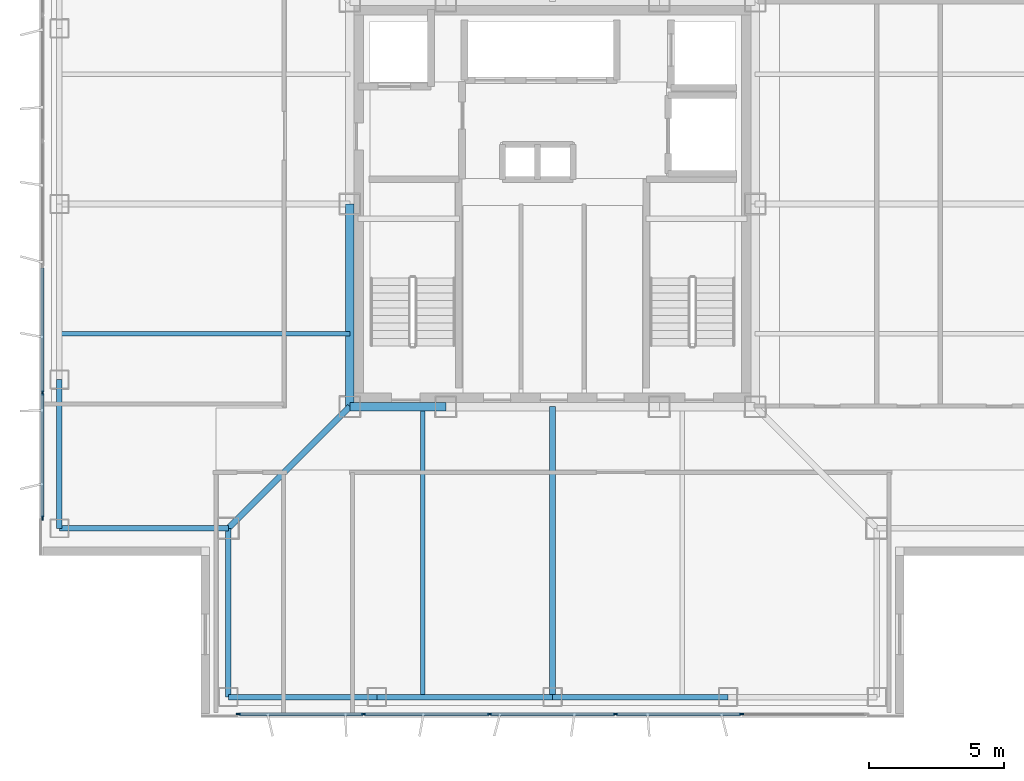
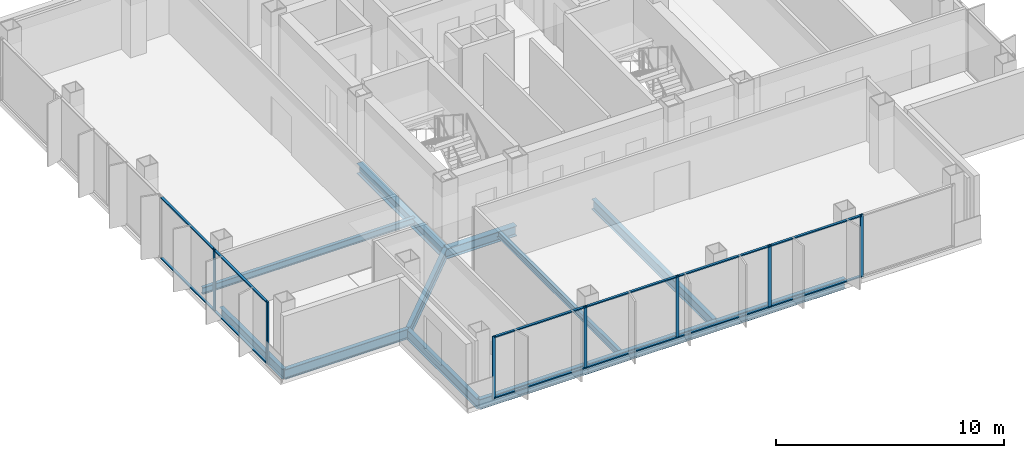
# One storey, part 2 of 15: 19 members, 12 beams, 2 elements without a shape of their own.
"""IFC4 building model written with IfcOpenShell, lengths in metres."""

from ifc_helpers import new_model, si_unit, direction, frame, origin, origin_2d, place, context, subcontext, project, spatial, rectangle, i_section, extrude, material, layer, layer_set, material_profile, profile_set, type_object, element, aggregate, save


model = new_model("IFC4")

# Units and contexts
model_context = context("Model", 3, precision=1e-05, world=origin(), true_north=direction((0.0, 1.0)))
body_context = subcontext(model_context, "Body", "Model", "MODEL_VIEW")
ifc_project = project(units=[si_unit("LENGTHUNIT", "METRE"), si_unit("AREAUNIT", "SQUARE_METRE"), si_unit("VOLUMEUNIT", "CUBIC_METRE"), si_unit("PLANEANGLEUNIT", "RADIAN"), si_unit("MASSUNIT", "GRAM", prefix="KILO")], contexts=[model_context])

# Site, building, storey
site_placement = place(None, origin())
site = spatial("IfcSite", under=ifc_project, at=site_placement, CompositionType="ELEMENT")
building_placement = place(site_placement, origin())
building = spatial("IfcBuilding", under=site, at=building_placement, Name="Trevonay Congress Spire", CompositionType="ELEMENT")
storey_placement = place(building_placement, frame((0.0, 0.0, 250.39990234375)))
storey = spatial("IfcBuildingStorey", under=building, at=storey_placement, Name="L65", CompositionType="ELEMENT", Elevation=250.39990234375)

# Beams
ifc_material_1 = material(Name="Steel ASTM A572 Grade 50", Category="steel")
ifc_material_profile_1 = material_profile(ifc_material_1, i_section(OverallWidth=0.2119140625, OverallDepth=0.5439453125, WebThickness=0.01318359375, FlangeThickness=0.021240234375, FilletRadius=0.014892578125, at=origin_2d()), Name="W530x123")
ifc_profile_set_1 = profile_set([ifc_material_profile_1], Name="Steel ASTM A572 Grade 50")
beam_type_1 = type_object("IfcBeamType", Name="BM-GIRD-W530X123", PredefinedType="BEAM", material=ifc_profile_set_1)
beam_1_placement = place(storey_placement, frame((-7.5, -7.5, -0.511962890625), z_axis=(-0.707106781187, -0.707106781187, 0.0), x_axis=(0.707106781187, -0.707106781187, 0.0)))
element("IfcBeam", 1, at=beam_1_placement, inside=storey, type_object=beam_type_1, Name="L65 structural beam BM-L65-CDSW", PredefinedType="BEAM", context=body_context, shape_type="SweptSolid", body=[
    extrude(i_section(OverallWidth=0.2119140625, OverallDepth=0.5439453125, WebThickness=0.01318359375, FlangeThickness=0.021240234375, FilletRadius=0.014892578125, at=origin_2d()), origin(), (0.0, 0.0, 1.0), 6.364013671875),
])
beam_2_placement = place(storey_placement, frame((0.0, -7.5, -0.511962890625), z_axis=(0.0, -1.0, 0.0), x_axis=(1.0, 0.0, 0.0)))
element("IfcBeam", 2, at=beam_2_placement, inside=storey, type_object=beam_type_1, Name="L65 structural beam BM-L65-GC-S", PredefinedType="BEAM", context=body_context, shape_type="SweptSolid", body=[
    extrude(i_section(OverallWidth=0.2119140625, OverallDepth=0.5439453125, WebThickness=0.01318359375, FlangeThickness=0.021240234375, FilletRadius=0.014892578125, at=origin_2d()), origin(), (0.0, 0.0, 1.0), 10.75),
])
ifc_material_profile_2 = material_profile(ifc_material_1, i_section(OverallWidth=0.31201171875, OverallDepth=0.54296875, WebThickness=0.0126953125, FlangeThickness=0.020263671875, FilletRadius=0.014892578125, at=origin_2d()), Name="W530x150")
ifc_profile_set_2 = profile_set([ifc_material_profile_2], Name="Steel ASTM A572 Grade 50")
beam_type_2 = type_object("IfcBeamType", Name="BM-GIRD-W530X150", PredefinedType="BEAM", material=ifc_profile_set_2)
beam_3_placement = place(storey_placement, frame((-7.5, -7.5, -0.511474609375), z_axis=(1.0, 0.0, 0.0), x_axis=(0.0, 1.0, 0.0)))
element("IfcBeam", 3, at=beam_3_placement, inside=storey, type_object=beam_type_2, Name="L65 structural beam BM-L65-CR-S1", PredefinedType="BEAM", context=body_context, shape_type="SweptSolid", body=[
    extrude(i_section(OverallWidth=0.31201171875, OverallDepth=0.54296875, WebThickness=0.0126953125, FlangeThickness=0.020263671875, FilletRadius=0.014892578125, at=origin_2d()), origin(), (0.0, 0.0, 1.0), 3.550048828125),
])
beam_4_placement = place(storey_placement, frame((-7.5, -7.5, -0.511474609375), z_axis=(0.0, 1.0, 0.0), x_axis=(-1.0, 0.0, 0.0)))
element("IfcBeam", 4, at=beam_4_placement, inside=storey, type_object=beam_type_2, Name="L65 structural beam BM-L65-CR-W1", PredefinedType="BEAM", context=body_context, shape_type="SweptSolid", body=[
    extrude(i_section(OverallWidth=0.31201171875, OverallDepth=0.54296875, WebThickness=0.0126953125, FlangeThickness=0.020263671875, FilletRadius=0.014892578125, at=origin_2d()), origin(), (0.0, 0.0, 1.0), 7.5),
])
ifc_material_profile_3 = material_profile(ifc_material_1, i_section(OverallWidth=0.208984375, OverallDepth=0.532958984375, WebThickness=0.01025390625, FlangeThickness=0.015625, FilletRadius=0.014892578125, at=origin_2d()), Name="W530x92")
ifc_profile_set_3 = profile_set([ifc_material_profile_3], Name="Steel ASTM A572 Grade 50")
beam_type_3 = type_object("IfcBeamType", Name="BM-RING-W530X92", PredefinedType="BEAM", material=ifc_profile_set_3)
for number, where, z_axis, x_axis, name in (
    (5, (-12.0, -18.25, -0.50634765625), (1.0, 0.0, 0.0), (0.0, 1.0, 0.0), "L65 structural beam BM-L65-PS1"),
    (6, (-18.25, -12.0, -0.50634765625), (0.0, 1.0, 0.0), (-1.0, 0.0, 0.0), "L65 structural beam BM-L65-PW1"),
):
    element("IfcBeam", number, at=place(storey_placement, frame(where, z_axis=z_axis, x_axis=x_axis)), inside=storey, type_object=beam_type_3, Name=name, PredefinedType="BEAM", context=body_context, shape_type="SweptSolid", body=[
        extrude(i_section(OverallWidth=0.208984375, OverallDepth=0.532958984375, WebThickness=0.01025390625, FlangeThickness=0.015625, FilletRadius=0.014892578125, at=origin_2d()), origin(), (0.0, 0.0, 1.0), 5.5),
    ])
for number, where, z_axis, x_axis, name in (
    (7, (-6.5, -18.25, -0.50634765625), (1.0, 0.0, 0.0), (0.0, 1.0, 0.0), "L65 structural beam BM-L65-PS2"),
    (8, (0.0, -18.25, -0.50634765625), (1.0, 0.0, 0.0), (0.0, 1.0, 0.0), "L65 structural beam BM-L65-PS3"),
):
    element("IfcBeam", number, at=place(storey_placement, frame(where, z_axis=z_axis, x_axis=x_axis)), inside=storey, type_object=beam_type_3, Name=name, PredefinedType="BEAM", context=body_context, shape_type="SweptSolid", body=[
        extrude(i_section(OverallWidth=0.208984375, OverallDepth=0.532958984375, WebThickness=0.01025390625, FlangeThickness=0.015625, FilletRadius=0.014892578125, at=origin_2d()), origin(), (0.0, 0.0, 1.0), 6.5),
    ])
for number, where, z_axis, x_axis, name in (
    (9, (-12.0, -18.25, -0.50634765625), (0.0, 1.0, 0.0), (-1.0, 0.0, 0.0), "L65 structural beam BM-L65-N1SW"),
    (10, (-18.25, -12.0, -0.50634765625), (1.0, 0.0, 0.0), (0.0, 1.0, 0.0), "L65 structural beam BM-L65-N2SW"),
):
    element("IfcBeam", number, at=place(storey_placement, frame(where, z_axis=z_axis, x_axis=x_axis)), inside=storey, type_object=beam_type_3, Name=name, PredefinedType="BEAM", context=body_context, shape_type="SweptSolid", body=[
        extrude(i_section(OverallWidth=0.208984375, OverallDepth=0.532958984375, WebThickness=0.01025390625, FlangeThickness=0.015625, FilletRadius=0.014892578125, at=origin_2d()), origin(), (0.0, 0.0, 1.0), 6.25),
    ])

# Curtain wall, members
ifc_material_2 = material(Name="Pale Anodised Aluminium EN AW-6063-T6", Category="aluminium")
ifc_layer = layer(ifc_material_2, 0.1650390625, Name="Pale Anodised Aluminium EN AW-6063-T6")
ifc_layer_set = layer_set([ifc_layer], Name="Pale Anodised Aluminium EN AW-6063-T6")
curtain_wall_type = type_object("IfcCurtainWallType", Name="CW-SYS05-DIPLOM-PALE-METAL", PredefinedType="NOTDEFINED", material=ifc_layer_set)
curtain_wall_1_placement = place(storey_placement, origin())
curtain_wall_1 = element("IfcCurtainWall", 11, at=curtain_wall_1_placement, inside=storey, type_object=curtain_wall_type, Name="L65 S unitised curtain wall", PredefinedType="NOTDEFINED")
ifc_material_profile_4 = material_profile(ifc_material_2, rectangle(XDim=0.06005859375, YDim=0.159912109375, at=origin_2d()), Name="CW-MULLION-160-ALUMINIUM")
ifc_profile_set_4 = profile_set([ifc_material_profile_4], Name="Pale Anodised Aluminium EN AW-6063-T6")
member_type_1 = type_object("IfcMemberType", Name="CW-MULLION-160-ALUMINIUM", PredefinedType="MULLION", material=ifc_profile_set_4)
member_1_placement = place(storey_placement, frame((-11.6201171875, -18.8798828125, 0.0), z_axis=(0.0, 0.0, 1.0), x_axis=(0.0, 1.0, 0.0)))
member_1 = element("IfcMember", 12, at=member_1_placement, type_object=member_type_1, Name="CW05 mullion 1", PredefinedType="MULLION", context=body_context, shape_type="SweptSolid", body=[
    extrude(rectangle(XDim=0.06005859375, YDim=0.159912109375, at=origin_2d()), origin(), (0.0, 0.0, 1.0), 3.360107421875),
])
member_2_placement = place(storey_placement, frame((-6.989990234375, -18.8798828125, 0.0), z_axis=(0.0, 0.0, 1.0), x_axis=(0.0, 1.0, 0.0)))
member_2 = element("IfcMember", 13, at=member_2_placement, type_object=member_type_1, Name="CW05 mullion 2", PredefinedType="MULLION", context=body_context, shape_type="SweptSolid", body=[
    extrude(rectangle(XDim=0.06005859375, YDim=0.159912109375, at=origin_2d()), origin(), (0.0, 0.0, 1.0), 3.360107421875),
])
member_3_placement = place(storey_placement, frame((-2.330078125, -18.8798828125, 0.0), z_axis=(0.0, 0.0, 1.0), x_axis=(0.0, 1.0, 0.0)))
member_3 = element("IfcMember", 14, at=member_3_placement, type_object=member_type_1, Name="CW05 mullion 3", PredefinedType="MULLION", context=body_context, shape_type="SweptSolid", body=[
    extrude(rectangle(XDim=0.06005859375, YDim=0.159912109375, at=origin_2d()), origin(), (0.0, 0.0, 1.0), 3.360107421875),
])
member_4_placement = place(storey_placement, frame((2.330078125, -18.8798828125, 0.0), z_axis=(0.0, 0.0, 1.0), x_axis=(0.0, 1.0, 0.0)))
member_4 = element("IfcMember", 15, at=member_4_placement, type_object=member_type_1, Name="CW05 mullion 4", PredefinedType="MULLION", context=body_context, shape_type="SweptSolid", body=[
    extrude(rectangle(XDim=0.06005859375, YDim=0.159912109375, at=origin_2d()), origin(), (0.0, 0.0, 1.0), 3.360107421875),
])
member_5_placement = place(storey_placement, frame((6.989990234375, -18.8798828125, 0.0), z_axis=(0.0, 0.0, 1.0), x_axis=(0.0, 1.0, 0.0)))
member_5 = element("IfcMember", 16, at=member_5_placement, type_object=member_type_1, Name="CW05 mullion 5", PredefinedType="MULLION", context=body_context, shape_type="SweptSolid", body=[
    extrude(rectangle(XDim=0.06005859375, YDim=0.159912109375, at=origin_2d()), origin(), (0.0, 0.0, 1.0), 3.360107421875),
])

curtain_wall_2_placement = place(storey_placement, origin())
curtain_wall_2 = element("IfcCurtainWall", 17, at=curtain_wall_2_placement, inside=storey, type_object=curtain_wall_type, Name="L65 W unitised curtain wall", PredefinedType="NOTDEFINED")
member_6_placement = place(storey_placement, frame((-18.8798828125, -11.6201171875, 0.0), z_axis=(0.0, 0.0, 1.0), x_axis=(-1.0, 0.0, 0.0)))
member_6 = element("IfcMember", 18, at=member_6_placement, type_object=member_type_1, Name="CW05 mullion 1", PredefinedType="MULLION", context=body_context, shape_type="SweptSolid", body=[
    extrude(rectangle(XDim=0.06005859375, YDim=0.159912109375, at=origin_2d()), origin(), (0.0, 0.0, 1.0), 3.360107421875),
])
member_7_placement = place(storey_placement, frame((-18.8798828125, -6.989990234375, 0.0), z_axis=(0.0, 0.0, 1.0), x_axis=(-1.0, 0.0, 0.0)))
member_7 = element("IfcMember", 19, at=member_7_placement, type_object=member_type_1, Name="CW05 mullion 2", PredefinedType="MULLION", context=body_context, shape_type="SweptSolid", body=[
    extrude(rectangle(XDim=0.06005859375, YDim=0.159912109375, at=origin_2d()), origin(), (0.0, 0.0, 1.0), 3.360107421875),
])

# Member
ifc_material_profile_5 = material_profile(ifc_material_2, rectangle(XDim=0.1201171875, YDim=0.06005859375, at=origin_2d()), Name="CW-TRANSOM-120-ALUMINIUM")
ifc_profile_set_5 = profile_set([ifc_material_profile_5], Name="Pale Anodised Aluminium EN AW-6063-T6")
member_type_2 = type_object("IfcMemberType", Name="CW-TRANSOM-120-ALUMINIUM", PredefinedType="USERDEFINED", material=ifc_profile_set_5)
member_8_placement = place(storey_placement, frame((-11.590087890625, -18.8798828125, 0.06005859375), z_axis=(1.0, 0.0, 0.0), x_axis=(0.0, 1.0, 0.0)))
member_8 = element("IfcMember", 20, at=member_8_placement, type_object=member_type_2, Name="CW05 transom 1.1", ObjectType="TRANSOM", PredefinedType="USERDEFINED", context=body_context, shape_type="SweptSolid", body=[
    extrude(rectangle(XDim=0.1201171875, YDim=0.06005859375, at=origin_2d()), origin(), (0.0, 0.0, 1.0), 4.570068359375),
])

member_9_placement = place(storey_placement, frame((-11.590087890625, -18.8798828125, 3.300048828125), z_axis=(1.0, 0.0, 0.0), x_axis=(0.0, 1.0, 0.0)))
member_9 = element("IfcMember", 21, at=member_9_placement, type_object=member_type_2, Name="CW05 transom 1.2", ObjectType="TRANSOM", PredefinedType="USERDEFINED", context=body_context, shape_type="SweptSolid", body=[
    extrude(rectangle(XDim=0.1201171875, YDim=0.06005859375, at=origin_2d()), origin(), (0.0, 0.0, 1.0), 4.570068359375),
])

member_10_placement = place(storey_placement, frame((-6.9599609375, -18.8798828125, 0.06005859375), z_axis=(1.0, 0.0, 0.0), x_axis=(0.0, 1.0, 0.0)))
member_10 = element("IfcMember", 22, at=member_10_placement, type_object=member_type_2, Name="CW05 transom 2.1", ObjectType="TRANSOM", PredefinedType="USERDEFINED", context=body_context, shape_type="SweptSolid", body=[
    extrude(rectangle(XDim=0.1201171875, YDim=0.06005859375, at=origin_2d()), origin(), (0.0, 0.0, 1.0), 4.599853515625),
])

member_11_placement = place(storey_placement, frame((-6.9599609375, -18.8798828125, 3.300048828125), z_axis=(1.0, 0.0, 0.0), x_axis=(0.0, 1.0, 0.0)))
member_11 = element("IfcMember", 23, at=member_11_placement, type_object=member_type_2, Name="CW05 transom 2.2", ObjectType="TRANSOM", PredefinedType="USERDEFINED", context=body_context, shape_type="SweptSolid", body=[
    extrude(rectangle(XDim=0.1201171875, YDim=0.06005859375, at=origin_2d()), origin(), (0.0, 0.0, 1.0), 4.599853515625),
])

member_12_placement = place(storey_placement, frame((-2.300048828125, -18.8798828125, 0.06005859375), z_axis=(1.0, 0.0, 0.0), x_axis=(0.0, 1.0, 0.0)))
member_12 = element("IfcMember", 24, at=member_12_placement, type_object=member_type_2, Name="CW05 transom 3.1", ObjectType="TRANSOM", PredefinedType="USERDEFINED", context=body_context, shape_type="SweptSolid", body=[
    extrude(rectangle(XDim=0.1201171875, YDim=0.06005859375, at=origin_2d()), origin(), (0.0, 0.0, 1.0), 4.60009765625),
])

member_13_placement = place(storey_placement, frame((-2.300048828125, -18.8798828125, 3.300048828125), z_axis=(1.0, 0.0, 0.0), x_axis=(0.0, 1.0, 0.0)))
member_13 = element("IfcMember", 25, at=member_13_placement, type_object=member_type_2, Name="CW05 transom 3.2", ObjectType="TRANSOM", PredefinedType="USERDEFINED", context=body_context, shape_type="SweptSolid", body=[
    extrude(rectangle(XDim=0.1201171875, YDim=0.06005859375, at=origin_2d()), origin(), (0.0, 0.0, 1.0), 4.60009765625),
])

member_14_placement = place(storey_placement, frame((2.360107421875, -18.8798828125, 0.06005859375), z_axis=(1.0, 0.0, 0.0), x_axis=(0.0, 1.0, 0.0)))
member_14 = element("IfcMember", 26, at=member_14_placement, type_object=member_type_2, Name="CW05 transom 4.1", ObjectType="TRANSOM", PredefinedType="USERDEFINED", context=body_context, shape_type="SweptSolid", body=[
    extrude(rectangle(XDim=0.1201171875, YDim=0.06005859375, at=origin_2d()), origin(), (0.0, 0.0, 1.0), 4.599853515625),
])

member_15_placement = place(storey_placement, frame((2.360107421875, -18.8798828125, 3.300048828125), z_axis=(1.0, 0.0, 0.0), x_axis=(0.0, 1.0, 0.0)))
member_15 = element("IfcMember", 27, at=member_15_placement, type_object=member_type_2, Name="CW05 transom 4.2", ObjectType="TRANSOM", PredefinedType="USERDEFINED", context=body_context, shape_type="SweptSolid", body=[
    extrude(rectangle(XDim=0.1201171875, YDim=0.06005859375, at=origin_2d()), origin(), (0.0, 0.0, 1.0), 4.599853515625),
])

aggregate(curtain_wall_1, [member_1, member_2, member_3, member_4, member_5, member_8, member_9, member_10, member_11, member_12, member_13, member_14, member_15])

member_16_placement = place(storey_placement, frame((-18.8798828125, -11.590087890625, 0.06005859375), z_axis=(0.0, 1.0, 0.0), x_axis=(-1.0, 0.0, 0.0)))
member_16 = element("IfcMember", 28, at=member_16_placement, type_object=member_type_2, Name="CW05 transom 1.1", ObjectType="TRANSOM", PredefinedType="USERDEFINED", context=body_context, shape_type="SweptSolid", body=[
    extrude(rectangle(XDim=0.1201171875, YDim=0.06005859375, at=origin_2d()), origin(), (0.0, 0.0, 1.0), 4.570068359375),
])

member_17_placement = place(storey_placement, frame((-18.8798828125, -11.590087890625, 3.300048828125), z_axis=(0.0, 1.0, 0.0), x_axis=(-1.0, 0.0, 0.0)))
member_17 = element("IfcMember", 29, at=member_17_placement, type_object=member_type_2, Name="CW05 transom 1.2", ObjectType="TRANSOM", PredefinedType="USERDEFINED", context=body_context, shape_type="SweptSolid", body=[
    extrude(rectangle(XDim=0.1201171875, YDim=0.06005859375, at=origin_2d()), origin(), (0.0, 0.0, 1.0), 4.570068359375),
])

member_18_placement = place(storey_placement, frame((-18.8798828125, -6.9599609375, 0.06005859375), z_axis=(0.0, 1.0, 0.0), x_axis=(-1.0, 0.0, 0.0)))
member_18 = element("IfcMember", 30, at=member_18_placement, type_object=member_type_2, Name="CW05 transom 2.1", ObjectType="TRANSOM", PredefinedType="USERDEFINED", context=body_context, shape_type="SweptSolid", body=[
    extrude(rectangle(XDim=0.1201171875, YDim=0.06005859375, at=origin_2d()), origin(), (0.0, 0.0, 1.0), 4.599853515625),
])

member_19_placement = place(storey_placement, frame((-18.8798828125, -6.9599609375, 3.300048828125), z_axis=(0.0, 1.0, 0.0), x_axis=(-1.0, 0.0, 0.0)))
member_19 = element("IfcMember", 31, at=member_19_placement, type_object=member_type_2, Name="CW05 transom 2.2", ObjectType="TRANSOM", PredefinedType="USERDEFINED", context=body_context, shape_type="SweptSolid", body=[
    extrude(rectangle(XDim=0.1201171875, YDim=0.06005859375, at=origin_2d()), origin(), (0.0, 0.0, 1.0), 4.599853515625),
])

aggregate(curtain_wall_2, [member_6, member_7, member_16, member_17, member_18, member_19])

# Beams
ifc_material_profile_6 = material_profile(ifc_material_1, i_section(OverallWidth=0.172119140625, OverallDepth=0.35791015625, WebThickness=0.0078125, FlangeThickness=0.01318359375, FilletRadius=0.011962890625, at=origin_2d()), Name="W360x57.8")
ifc_profile_set_6 = profile_set([ifc_material_profile_6], Name="Steel ASTM A572 Grade 50")
beam_type_4 = type_object("IfcBeamType", Name="JS-COMP-W360X57", PredefinedType="JOIST", material=ifc_profile_set_6)
for number, where, z_axis, x_axis, name in (
    (32, (-4.800048828125, -18.25, -0.4189453125), (0.0, 1.0, 0.0), (-1.0, 0.0, 0.0), "L65 structural beam JS-L65-NS-S1"),
    (33, (-18.25, -4.800048828125, -0.4189453125), (1.0, 0.0, 0.0), (0.0, 1.0, 0.0), "L65 structural beam JS-L65-EW-W1"),
):
    element("IfcBeam", number, at=place(storey_placement, frame(where, z_axis=z_axis, x_axis=x_axis)), inside=storey, type_object=beam_type_4, Name=name, PredefinedType="JOIST", context=body_context, shape_type="SweptSolid", body=[
        extrude(i_section(OverallWidth=0.172119140625, OverallDepth=0.35791015625, WebThickness=0.0078125, FlangeThickness=0.01318359375, FilletRadius=0.011962890625, at=origin_2d()), origin(), (0.0, 0.0, 1.0), 10.75),
    ])

save(model, "model.ifc")
